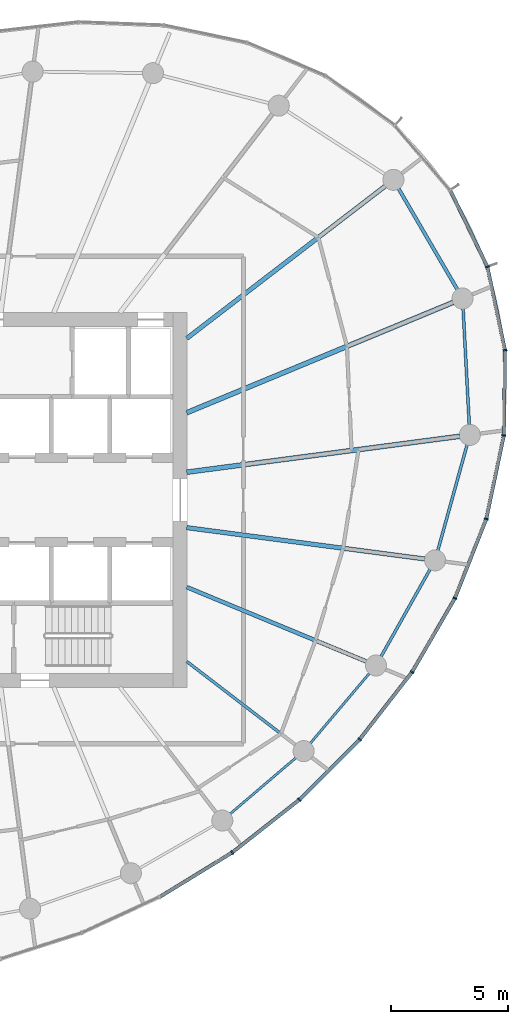
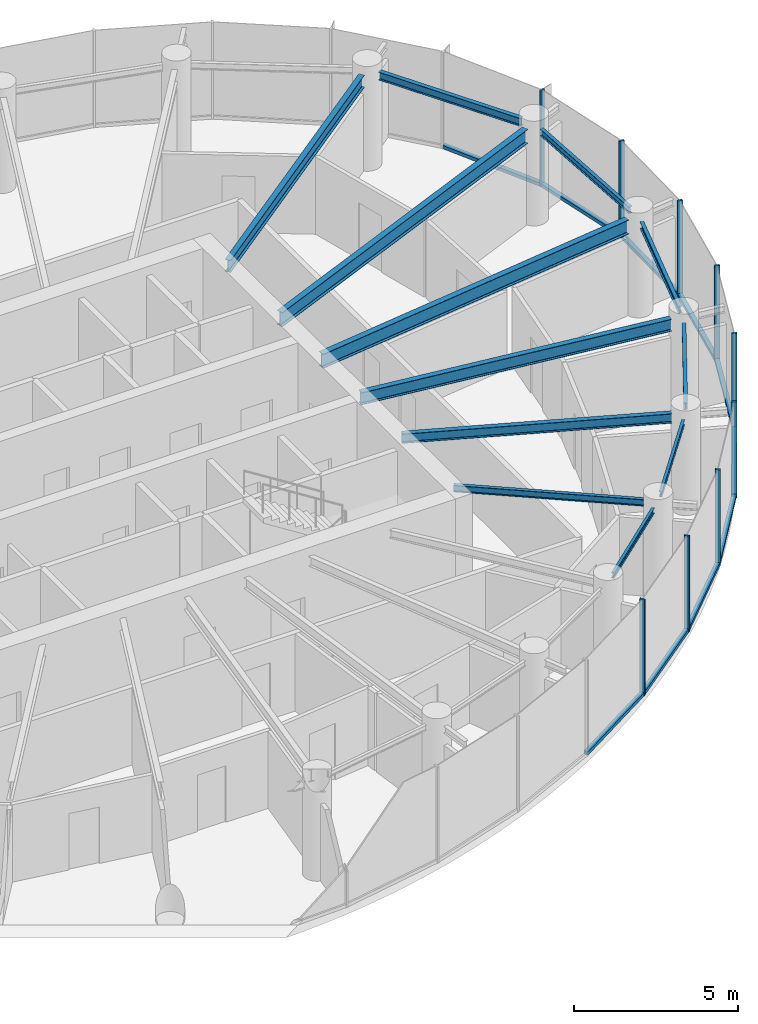
# One storey, part 5 of 15: 19 members, 12 beams, 2 elements without a shape of their own.
"""IFC4 building model written with IfcOpenShell, lengths in metres."""

from ifc_helpers import new_model, si_unit, direction, frame, origin, origin_2d, place, context, subcontext, project, spatial, rectangle, i_section, extrude, source, transform, mapped, material, layer, layer_set, material_profile, profile_set, type_object, element, aggregate, save


model = new_model("IFC4")

# Units and contexts
model_context = context("Model", 3, precision=1e-05, world=origin(), true_north=direction((0.0, 1.0)))
body_context = subcontext(model_context, "Body", "Model", "MODEL_VIEW")
ifc_project = project(units=[si_unit("LENGTHUNIT", "METRE"), si_unit("AREAUNIT", "SQUARE_METRE"), si_unit("VOLUMEUNIT", "CUBIC_METRE"), si_unit("PLANEANGLEUNIT", "RADIAN"), si_unit("MASSUNIT", "GRAM", prefix="KILO")], contexts=[model_context])

# Site, building, storey
site_placement = place(None, origin())
site = spatial("IfcSite", under=ifc_project, at=site_placement, CompositionType="ELEMENT")
building_placement = place(site_placement, origin())
building = spatial("IfcBuilding", under=site, at=building_placement, Name="Spindrift Exchange Tower", CompositionType="ELEMENT")
storey_placement = place(building_placement, frame((0.0, 0.0, 191.60009765625)))
storey = spatial("IfcBuildingStorey", under=building, at=storey_placement, Name="L46", CompositionType="ELEMENT", Elevation=191.60009765625)

# Beams
ifc_material_1 = material(Name="Steel Grade 300", Category="steel")
ifc_material_profile_1 = material_profile(ifc_material_1, i_section(OverallWidth=0.208984375, OverallDepth=0.528076171875, WebThickness=0.009521484375, FlangeThickness=0.01318359375, FilletRadius=0.013916015625, at=origin_2d()), Name="530UB82.0")
ifc_profile_set_1 = profile_set([ifc_material_profile_1], Name="Steel Grade 300")
beam_type_1 = type_object("IfcBeamType", Name="Floor Beam 530UB82.0 Steel Grade 300", PredefinedType="BEAM", material=ifc_profile_set_1)
shared_shape_1 = source(origin(), body_context, "Body", "SweptSolid", [
    extrude(i_section(OverallWidth=0.208984375, OverallDepth=0.528076171875, WebThickness=0.009521484375, FlangeThickness=0.01318359375, FilletRadius=0.013916015625, at=origin_2d()), origin(), (0.0, 0.0, 1.0), 11.75634765625),
])
beam_1_placement = place(storey_placement, frame((60.980224609375, 49.182373046875, 3.31591796875), z_axis=(0.991445811455, 0.13051897543, 0.0), x_axis=(-0.13051897543, 0.991445811455, 0.0)))
element("IfcBeam", 1, at=beam_1_placement, inside=storey, type_object=beam_type_1, Name="L46 radial beam R01A", PredefinedType="BEAM", context=body_context, shape_type="MappedRepresentation", body=[
    mapped(shared_shape_1, transform((0.0, 0.0, 0.0), scale=1.0)),
])
shared_shape_2 = source(origin(), body_context, "Body", "SweptSolid", [
    extrude(i_section(OverallWidth=0.208984375, OverallDepth=0.528076171875, WebThickness=0.009521484375, FlangeThickness=0.01318359375, FilletRadius=0.013916015625, at=origin_2d()), origin(), (0.0, 0.0, 1.0), 12.3115234375),
])
beam_2_placement = place(storey_placement, frame((60.9814453125, 51.72021484375, 3.31591796875), z_axis=(0.923878099838, 0.382686891126, 0.0), x_axis=(-0.382686891126, 0.923878099838, 0.0)))
element("IfcBeam", 2, at=beam_2_placement, inside=storey, type_object=beam_type_1, Name="L46 radial beam R02A", PredefinedType="BEAM", context=body_context, shape_type="MappedRepresentation", body=[
    mapped(shared_shape_2, transform((0.0, 0.0, 0.0), scale=1.0)),
])
ifc_material_profile_2 = material_profile(ifc_material_1, i_section(OverallWidth=0.18994140625, OverallDepth=0.4541015625, WebThickness=0.008544921875, FlangeThickness=0.0126953125, FilletRadius=0.013916015625, at=origin_2d()), Name="460UB67.1")
ifc_profile_set_2 = profile_set([ifc_material_profile_2], Name="Steel Grade 300")
beam_type_2 = type_object("IfcBeamType", Name="Floor Beam 460UB67.1 Steel Grade 300", PredefinedType="BEAM", material=ifc_profile_set_2)
shared_shape_3 = source(origin(), body_context, "Body", "SweptSolid", [
    extrude(i_section(OverallWidth=0.18994140625, OverallDepth=0.4541015625, WebThickness=0.008544921875, FlangeThickness=0.0126953125, FilletRadius=0.013916015625, at=origin_2d()), origin(), (0.0, 0.0, 1.0), 10.684814453125),
])
beam_3_placement = place(storey_placement, frame((60.984130859375, 54.893798828125, 3.352783203125), z_axis=(0.793357316898, 0.608756246559, 0.0), x_axis=(-0.608756246559, 0.793357316898, 0.0)))
element("IfcBeam", 3, at=beam_3_placement, inside=storey, type_object=beam_type_2, Name="L46 radial beam R03A", PredefinedType="BEAM", context=body_context, shape_type="MappedRepresentation", body=[
    mapped(shared_shape_3, transform((0.0, 0.0, 0.0), scale=1.0)),
])
ifc_material_profile_3 = material_profile(ifc_material_1, i_section(OverallWidth=0.1240234375, OverallDepth=0.248046875, WebThickness=0.0048828125, FlangeThickness=0.008056640625, FilletRadius=0.011962890625, at=origin_2d()), Name="250UB25.7")
ifc_profile_set_3 = profile_set([ifc_material_profile_3], Name="Steel Grade 300")
beam_type_3 = type_object("IfcBeamType", Name="Floor Beam 250UB25.7 Steel Grade 300", PredefinedType="BEAM", material=ifc_profile_set_3)
shared_shape_4 = source(origin(), body_context, "Body", "SweptSolid", [
    extrude(i_section(OverallWidth=0.1240234375, OverallDepth=0.248046875, WebThickness=0.0048828125, FlangeThickness=0.008056640625, FilletRadius=0.011962890625, at=origin_2d()), origin(), (0.0, 0.0, 1.0), 5.855712890625),
])
beam_4_placement = place(storey_placement, frame((60.984130859375, 41.106201171875, 3.455810546875), z_axis=(0.793362708479, -0.608749219954, 0.0), x_axis=(0.608749219954, 0.793362708479, 0.0)))
element("IfcBeam", 4, at=beam_4_placement, inside=storey, type_object=beam_type_3, Name="L46 radial beam R22A", PredefinedType="BEAM", context=body_context, shape_type="MappedRepresentation", body=[
    mapped(shared_shape_4, transform((0.0, 0.0, 0.0), scale=1.0)),
])
ifc_material_profile_4 = material_profile(ifc_material_1, i_section(OverallWidth=0.1708984375, OverallDepth=0.35205078125, WebThickness=0.0068359375, FlangeThickness=0.009765625, FilletRadius=0.013916015625, at=origin_2d()), Name="360UB44.7")
ifc_profile_set_4 = profile_set([ifc_material_profile_4], Name="Steel Grade 300")
beam_type_4 = type_object("IfcBeamType", Name="Floor Beam 360UB44.7 Steel Grade 300", PredefinedType="BEAM", material=ifc_profile_set_4)
shared_shape_5 = source(origin(), body_context, "Body", "SweptSolid", [
    extrude(i_section(OverallWidth=0.1708984375, OverallDepth=0.35205078125, WebThickness=0.0068359375, FlangeThickness=0.009765625, FilletRadius=0.013916015625, at=origin_2d()), origin(), (0.0, 0.0, 1.0), 8.3134765625),
])
beam_5_placement = place(storey_placement, frame((60.9814453125, 44.27978515625, 3.40380859375), z_axis=(0.923881179957, -0.382679455055, 0.0), x_axis=(0.382679455055, 0.923881179957, 0.0)))
element("IfcBeam", 5, at=beam_5_placement, inside=storey, type_object=beam_type_4, Name="L46 radial beam R23A", PredefinedType="BEAM", context=body_context, shape_type="MappedRepresentation", body=[
    mapped(shared_shape_5, transform((0.0, 0.0, 0.0), scale=1.0)),
])
shared_shape_6 = source(origin(), body_context, "Body", "SweptSolid", [
    extrude(i_section(OverallWidth=0.18994140625, OverallDepth=0.4541015625, WebThickness=0.008544921875, FlangeThickness=0.0126953125, FilletRadius=0.013916015625, at=origin_2d()), origin(), (0.0, 0.0, 1.0), 10.262451171875),
])
beam_6_placement = place(storey_placement, frame((60.980224609375, 46.817626953125, 3.352783203125), z_axis=(0.991446763371, -0.130511744304, 0.0), x_axis=(0.130511744304, 0.991446763371, 0.0)))
element("IfcBeam", 6, at=beam_6_placement, inside=storey, type_object=beam_type_2, Name="L46 radial beam R24A", PredefinedType="BEAM", context=body_context, shape_type="MappedRepresentation", body=[
    mapped(shared_shape_6, transform((0.0, 0.0, 0.0), scale=1.0)),
])
ifc_material_profile_5 = material_profile(ifc_material_1, i_section(OverallWidth=0.1240234375, OverallDepth=0.248046875, WebThickness=0.0048828125, FlangeThickness=0.008056640625, FilletRadius=0.011962890625, at=origin_2d()), Name="250UB25.7")
ifc_profile_set_5 = profile_set([ifc_material_profile_5], Name="Steel Grade 300")
beam_type_5 = type_object("IfcBeamType", Name="Edge Beam 250UB25.7 Steel Grade 300", PredefinedType="SPANDREL", material=ifc_profile_set_5)
shared_shape_7 = source(origin(), body_context, "Body", "SweptSolid", [
    extrude(i_section(OverallWidth=0.1240234375, OverallDepth=0.248046875, WebThickness=0.0048828125, FlangeThickness=0.008056640625, FilletRadius=0.011962890625, at=origin_2d()), origin(), (0.0, 0.0, 1.0), 4.971435546875),
])
beam_7_placement = place(storey_placement, frame((73.03955078125, 51.202392578125, 3.455810546875), z_axis=(-0.053038255124, 0.998592481192, 0.0), x_axis=(-0.998592481192, -0.053038255124, 0.0)))
element("IfcBeam", 7, at=beam_7_placement, inside=storey, type_object=beam_type_5, Name="L46 edge beam E01", PredefinedType="SPANDREL", context=body_context, shape_type="MappedRepresentation", body=[
    mapped(shared_shape_7, transform((0.0, 0.0, 0.0), scale=1.0)),
])
ifc_material_profile_6 = material_profile(ifc_material_1, i_section(OverallWidth=0.14892578125, OverallDepth=0.298095703125, WebThickness=0.005615234375, FlangeThickness=0.008056640625, FilletRadius=0.012939453125, at=origin_2d()), Name="310UB32.0")
ifc_profile_set_6 = profile_set([ifc_material_profile_6], Name="Steel Grade 300")
beam_type_6 = type_object("IfcBeamType", Name="Edge Beam 310UB32.0 Steel Grade 300", PredefinedType="SPANDREL", material=ifc_profile_set_6)
shared_shape_8 = source(origin(), body_context, "Body", "SweptSolid", [
    extrude(i_section(OverallWidth=0.14892578125, OverallDepth=0.298095703125, WebThickness=0.005615234375, FlangeThickness=0.008056640625, FilletRadius=0.012939453125, at=origin_2d()), origin(), (0.0, 0.0, 1.0), 5.0009765625),
])
beam_8_placement = place(storey_placement, frame((72.53662109375, 56.9677734375, 3.430908203125), z_axis=(-0.503512812094, 0.863987759205, 0.0), x_axis=(-0.863987759205, -0.503512812094, 0.0)))
element("IfcBeam", 8, at=beam_8_placement, inside=storey, type_object=beam_type_6, Name="L46 edge beam E02", PredefinedType="SPANDREL", context=body_context, shape_type="MappedRepresentation", body=[
    mapped(shared_shape_8, transform((0.0, 0.0, 0.0), scale=1.0)),
])
ifc_material_profile_7 = material_profile(ifc_material_1, i_section(OverallWidth=0.09912109375, OverallDepth=0.197998046875, WebThickness=0.00439453125, FlangeThickness=0.007080078125, FilletRadius=0.010986328125, at=origin_2d()), Name="200UB18.2")
ifc_profile_set_7 = profile_set([ifc_material_profile_7], Name="Steel Grade 300")
beam_type_7 = type_object("IfcBeamType", Name="Edge Beam 200UB18.2 Steel Grade 300", PredefinedType="SPANDREL", material=ifc_profile_set_7)
shared_shape_9 = source(origin(), body_context, "Body", "SweptSolid", [
    extrude(i_section(OverallWidth=0.09912109375, OverallDepth=0.197998046875, WebThickness=0.00439453125, FlangeThickness=0.007080078125, FilletRadius=0.010986328125, at=origin_2d()), origin(), (0.0, 0.0, 1.0), 3.703857421875),
])
beam_9_placement = place(storey_placement, frame((62.826416015625, 34.59619140625, 3.48095703125), z_axis=(0.7606692863, 0.64913961278, 0.0), x_axis=(-0.64913961278, 0.7606692863, 0.0)))
element("IfcBeam", 9, at=beam_9_placement, inside=storey, type_object=beam_type_7, Name="L46 edge beam E21", PredefinedType="SPANDREL", context=body_context, shape_type="MappedRepresentation", body=[
    mapped(shared_shape_9, transform((0.0, 0.0, 0.0), scale=1.0)),
])
shared_shape_10 = source(origin(), body_context, "Body", "SweptSolid", [
    extrude(i_section(OverallWidth=0.09912109375, OverallDepth=0.197998046875, WebThickness=0.00439453125, FlangeThickness=0.007080078125, FilletRadius=0.010986328125, at=origin_2d()), origin(), (0.0, 0.0, 1.0), 3.92431640625),
])
beam_10_placement = place(storey_placement, frame((66.24853515625, 37.608154296875, 3.48095703125), z_axis=(0.645498720032, 0.763761351757, 0.0), x_axis=(-0.763761351757, 0.645498720032, 0.0)))
element("IfcBeam", 10, at=beam_10_placement, inside=storey, type_object=beam_type_7, Name="L46 edge beam E22", PredefinedType="SPANDREL", context=body_context, shape_type="MappedRepresentation", body=[
    mapped(shared_shape_10, transform((0.0, 0.0, 0.0), scale=1.0)),
])
shared_shape_11 = source(origin(), body_context, "Body", "SweptSolid", [
    extrude(i_section(OverallWidth=0.1240234375, OverallDepth=0.248046875, WebThickness=0.0048828125, FlangeThickness=0.008056640625, FilletRadius=0.011962890625, at=origin_2d()), origin(), (0.0, 0.0, 1.0), 4.2880859375),
])
beam_11_placement = place(storey_placement, frame((69.27001953125, 41.30859375, 3.455810546875), z_axis=(0.489804347673, 0.871832381253, 0.0), x_axis=(-0.871832381253, 0.489804347673, 0.0)))
element("IfcBeam", 11, at=beam_11_placement, inside=storey, type_object=beam_type_5, Name="L46 edge beam E23", PredefinedType="SPANDREL", context=body_context, shape_type="MappedRepresentation", body=[
    mapped(shared_shape_11, transform((0.0, 0.0, 0.0), scale=1.0)),
])
shared_shape_12 = source(origin(), body_context, "Body", "SweptSolid", [
    extrude(i_section(OverallWidth=0.1240234375, OverallDepth=0.248046875, WebThickness=0.0048828125, FlangeThickness=0.008056640625, FilletRadius=0.011962890625, at=origin_2d()), origin(), (0.0, 0.0, 1.0), 4.69189453125),
])
beam_12_placement = place(storey_placement, frame((71.69580078125, 45.83642578125, 3.455810546875), z_axis=(0.266774248618, 0.963759046792, 0.0), x_axis=(-0.963759046792, 0.266774248618, 0.0)))
element("IfcBeam", 12, at=beam_12_placement, inside=storey, type_object=beam_type_5, Name="L46 edge beam E24", PredefinedType="SPANDREL", context=body_context, shape_type="MappedRepresentation", body=[
    mapped(shared_shape_12, transform((0.0, 0.0, 0.0), scale=1.0)),
])

# Curtain wall, members
ifc_material_2 = material(Name="Fritted laminated glass with bronze frame", Category="glass")
ifc_layer = layer(ifc_material_2, 0.169921875)
ifc_layer_set = layer_set([ifc_layer], Name="ZONE 4 BRONZE FRITTED WALL")
curtain_wall_type = type_object("IfcCurtainWallType", Name="ZONE 4 BRONZE FRITTED WALL", PredefinedType="NOTDEFINED", material=ifc_layer_set)
curtain_wall_1_placement = place(storey_placement, origin())
curtain_wall_1 = element("IfcCurtainWall", 13, at=curtain_wall_1_placement, inside=storey, type_object=curtain_wall_type, Name="L46 Zone 4 Bronze Fritted Wall run 5", PredefinedType="NOTDEFINED")
ifc_material_3 = material(Name="Bronze anodised aluminium", Category="aluminium")
ifc_material_profile_8 = material_profile(ifc_material_3, rectangle(XDim=0.06494140625, YDim=0.169921875, at=origin_2d()), Name="ZONE 4 BRONZE FRITTED WALL MULLION 65X170")
ifc_profile_set_8 = profile_set([ifc_material_profile_8], Name="Bronze anodised aluminium")
member_type_1 = type_object("IfcMemberType", Name="ZONE 4 BRONZE FRITTED WALL MULLION 65X170", PredefinedType="MULLION", material=ifc_profile_set_8)
shared_shape_13 = source(origin(), body_context, "Body", "SweptSolid", [
    extrude(rectangle(XDim=0.06494140625, YDim=0.169921875, at=origin_2d()), origin(), (0.0, 0.0, 1.0), 3.579833984375),
])
member_1_placement = place(storey_placement, frame((62.923095703125, 32.95263671875, 0.0), z_axis=(0.0, 0.0, 1.0), x_axis=(0.820764775682, 0.571266297797, 0.0)))
member_1 = element("IfcMember", 14, at=member_1_placement, type_object=member_type_1, Name="L46 mullion CW-4.29", PredefinedType="MULLION", context=body_context, shape_type="MappedRepresentation", body=[
    mapped(shared_shape_13, transform((0.0, 0.0, 0.0), scale=1.0)),
])
member_2_placement = place(storey_placement, frame((65.786865234375, 35.2041015625, 0.0), z_axis=(0.0, 0.0, 1.0), x_axis=(0.748032901347, 0.663661644592, 0.0)))
member_2 = element("IfcMember", 15, at=member_2_placement, type_object=member_type_1, Name="L46 mullion CW-4.30", PredefinedType="MULLION", context=body_context, shape_type="MappedRepresentation", body=[
    mapped(shared_shape_13, transform((0.0, 0.0, 0.0), scale=1.0)),
])

curtain_wall_2_placement = place(storey_placement, origin())
curtain_wall_2 = element("IfcCurtainWall", 16, at=curtain_wall_2_placement, inside=storey, type_object=curtain_wall_type, Name="L46 Zone 4 Bronze Fritted Wall run 6", PredefinedType="NOTDEFINED")
member_3_placement = place(storey_placement, frame((68.36328125, 37.779052734375, 0.0), z_axis=(0.0, 0.0, 1.0), x_axis=(0.661809603209, 0.749671960994, 0.0)))
member_3 = element("IfcMember", 17, at=member_3_placement, type_object=member_type_1, Name="L46 mullion CW-4.31", PredefinedType="MULLION", context=body_context, shape_type="MappedRepresentation", body=[
    mapped(shared_shape_13, transform((0.0, 0.0, 0.0), scale=1.0)),
])
member_4_placement = place(storey_placement, frame((70.598876953125, 40.65478515625, 0.0), z_axis=(0.0, 0.0, 1.0), x_axis=(0.559184980937, 0.829042916316, 0.0)))
member_4 = element("IfcMember", 18, at=member_4_placement, type_object=member_type_1, Name="L46 mullion CW-4.32", PredefinedType="MULLION", context=body_context, shape_type="MappedRepresentation", body=[
    mapped(shared_shape_13, transform((0.0, 0.0, 0.0), scale=1.0)),
])
member_5_placement = place(storey_placement, frame((72.42724609375, 43.80419921875, 0.0), z_axis=(0.0, 0.0, 1.0), x_axis=(0.436128868243, 0.899884220489, 0.0)))
member_5 = element("IfcMember", 19, at=member_5_placement, type_object=member_type_1, Name="L46 mullion CW-4.33", PredefinedType="MULLION", context=body_context, shape_type="MappedRepresentation", body=[
    mapped(shared_shape_13, transform((0.0, 0.0, 0.0), scale=1.0)),
])
member_6_placement = place(storey_placement, frame((73.766357421875, 47.190185546875, 0.0), z_axis=(0.0, 0.0, 1.0), x_axis=(0.287845516059, 0.957676855147, 0.0)))
member_6 = element("IfcMember", 20, at=member_6_placement, type_object=member_type_1, Name="L46 mullion CW-4.34", PredefinedType="MULLION", context=body_context, shape_type="MappedRepresentation", body=[
    mapped(shared_shape_13, transform((0.0, 0.0, 0.0), scale=1.0)),
])
member_7_placement = place(storey_placement, frame((74.515625, 50.752197265625, 0.0), z_axis=(0.0, 0.0, 1.0), x_axis=(0.110082191394, 0.99392248749, 0.0)))
member_7 = element("IfcMember", 21, at=member_7_placement, type_object=member_type_1, Name="L46 mullion CW-4.35", PredefinedType="MULLION", context=body_context, shape_type="MappedRepresentation", body=[
    mapped(shared_shape_13, transform((0.0, 0.0, 0.0), scale=1.0)),
])
member_8_placement = place(storey_placement, frame((74.56396484375, 54.39013671875, 0.0), z_axis=(0.0, 0.0, 1.0), x_axis=(-0.09726947805, 0.995258081424, 0.0)))
member_8 = element("IfcMember", 22, at=member_8_placement, type_object=member_type_1, Name="L46 mullion CW-4.36", PredefinedType="MULLION", context=body_context, shape_type="MappedRepresentation", body=[
    mapped(shared_shape_13, transform((0.0, 0.0, 0.0), scale=1.0)),
])
member_9_placement = place(storey_placement, frame((73.8125, 57.9482421875, 0.0), z_axis=(0.0, 0.0, 1.0), x_axis=(-0.324197333976, 0.945989475968, 0.0)))
member_9 = element("IfcMember", 23, at=member_9_placement, type_object=member_type_1, Name="L46 mullion CW-4.37", PredefinedType="MULLION", context=body_context, shape_type="MappedRepresentation", body=[
    mapped(shared_shape_13, transform((0.0, 0.0, 0.0), scale=1.0)),
])

# Member
ifc_material_profile_9 = material_profile(ifc_material_3, rectangle(XDim=0.14990234375, YDim=0.125, at=origin_2d()), Name="ZONE 4 BRONZE FRITTED WALL TRANSOM 150X125")
ifc_profile_set_9 = profile_set([ifc_material_profile_9], Name="Bronze anodised aluminium")
member_type_2 = type_object("IfcMemberType", Name="ZONE 4 BRONZE FRITTED WALL TRANSOM 150X125", PredefinedType="USERDEFINED", material=ifc_profile_set_9)
shared_shape_14 = source(origin(), body_context, "Body", "SweptSolid", [
    extrude(rectangle(XDim=0.14990234375, YDim=0.125, at=origin_2d()), origin(), (0.0, 0.0, 1.0), 3.57763671875),
])
member_10_placement = place(storey_placement, frame((62.94873046875, 32.97265625, 0.0625), z_axis=(0.786133601553, 0.618056599762, 0.0), x_axis=(-0.618056599762, 0.786133601553, 0.0)))
member_10 = element("IfcMember", 24, at=member_10_placement, type_object=member_type_2, Name="L46 transom CW-4.29", ObjectType="TRANSOM", PredefinedType="USERDEFINED", context=body_context, shape_type="MappedRepresentation", body=[
    mapped(shared_shape_14, transform((0.0, 0.0, 0.0), scale=1.0)),
])

member_11_placement = place(storey_placement, frame((65.809814453125, 35.22705078125, 0.0625), z_axis=(0.707311472672, 0.70690203043, 0.0), x_axis=(-0.70690203043, 0.707311472672, 0.0)))
member_11 = element("IfcMember", 25, at=member_11_placement, type_object=member_type_2, Name="L46 transom CW-4.30", ObjectType="TRANSOM", PredefinedType="USERDEFINED", context=body_context, shape_type="MappedRepresentation", body=[
    mapped(shared_shape_14, transform((0.0, 0.0, 0.0), scale=1.0)),
])

shared_shape_15 = source(origin(), body_context, "Body", "SweptSolid", [
    extrude(rectangle(XDim=0.14990234375, YDim=0.125, at=origin_2d()), origin(), (0.0, 0.0, 1.0), 3.577880859375),
])
member_12_placement = place(storey_placement, frame((59.844970703125, 31.06591796875, 0.0625), z_axis=(0.852608117224, 0.522550857279, 0.0), x_axis=(-0.522550857279, 0.852608117224, 0.0)))
member_12 = element("IfcMember", 26, at=member_12_placement, type_object=member_type_2, Name="L46 transom CW-4.28", ObjectType="TRANSOM", PredefinedType="USERDEFINED", context=body_context, shape_type="MappedRepresentation", body=[
    mapped(shared_shape_15, transform((0.0, 0.0, 0.0), scale=1.0)),
])

aggregate(curtain_wall_1, [member_12, member_1, member_10, member_2, member_11])

shared_shape_16 = source(origin(), body_context, "Body", "SweptSolid", [
    extrude(rectangle(XDim=0.14990234375, YDim=0.125, at=origin_2d()), origin(), (0.0, 0.0, 1.0), 3.57666015625),
])
member_13_placement = place(storey_placement, frame((70.615234375, 40.682861328125, 0.0625), z_axis=(0.502044945298, 0.864841530513, 0.0), x_axis=(-0.864841530513, 0.502044945298, 0.0)))
member_13 = element("IfcMember", 27, at=member_13_placement, type_object=member_type_2, Name="L46 transom CW-4.32", ObjectType="TRANSOM", PredefinedType="USERDEFINED", context=body_context, shape_type="MappedRepresentation", body=[
    mapped(shared_shape_16, transform((0.0, 0.0, 0.0), scale=1.0)),
])

shared_shape_17 = source(origin(), body_context, "Body", "SweptSolid", [
    extrude(rectangle(XDim=0.14990234375, YDim=0.125, at=origin_2d()), origin(), (0.0, 0.0, 1.0), 3.577392578125),
])
member_14_placement = place(storey_placement, frame((68.38330078125, 37.8046875, 0.0625), z_axis=(0.613723257594, 0.789521223963, 0.0), x_axis=(-0.789521223963, 0.613723257594, 0.0)))
member_14 = element("IfcMember", 28, at=member_14_placement, type_object=member_type_2, Name="L46 transom CW-4.31", ObjectType="TRANSOM", PredefinedType="USERDEFINED", context=body_context, shape_type="MappedRepresentation", body=[
    mapped(shared_shape_17, transform((0.0, 0.0, 0.0), scale=1.0)),
])

shared_shape_18 = source(origin(), body_context, "Body", "SweptSolid", [
    extrude(rectangle(XDim=0.14990234375, YDim=0.125, at=origin_2d()), origin(), (0.0, 0.0, 1.0), 3.5703125),
])
member_15_placement = place(storey_placement, frame((73.79833984375, 57.9775390625, 0.0625), z_axis=(-0.436954547721, 0.899483586968, 0.0), x_axis=(-0.899483586968, -0.436954547721, 0.0)))
member_15 = element("IfcMember", 29, at=member_15_placement, type_object=member_type_2, Name="L46 transom CW-4.37", ObjectType="TRANSOM", PredefinedType="USERDEFINED", context=body_context, shape_type="MappedRepresentation", body=[
    mapped(shared_shape_18, transform((0.0, 0.0, 0.0), scale=1.0)),
])

shared_shape_19 = source(origin(), body_context, "Body", "SweptSolid", [
    extrude(rectangle(XDim=0.14990234375, YDim=0.125, at=origin_2d()), origin(), (0.0, 0.0, 1.0), 3.571533203125),
])
member_16_placement = place(storey_placement, frame((74.55712890625, 54.422119140625, 0.0625), z_axis=(-0.206582344529, 0.97842921815, 0.0), x_axis=(-0.97842921815, -0.206582344529, 0.0)))
member_16 = element("IfcMember", 30, at=member_16_placement, type_object=member_type_2, Name="L46 transom CW-4.36", ObjectType="TRANSOM", PredefinedType="USERDEFINED", context=body_context, shape_type="MappedRepresentation", body=[
    mapped(shared_shape_19, transform((0.0, 0.0, 0.0), scale=1.0)),
])

shared_shape_20 = source(origin(), body_context, "Body", "SweptSolid", [
    extrude(rectangle(XDim=0.14990234375, YDim=0.125, at=origin_2d()), origin(), (0.0, 0.0, 1.0), 3.5732421875),
])
member_17_placement = place(storey_placement, frame((74.51611328125, 50.78466796875, 0.0625), z_axis=(0.013254728905, 0.999912152222, 0.0), x_axis=(-0.999912152222, 0.013254728905, 0.0)))
member_17 = element("IfcMember", 31, at=member_17_placement, type_object=member_type_2, Name="L46 transom CW-4.35", ObjectType="TRANSOM", PredefinedType="USERDEFINED", context=body_context, shape_type="MappedRepresentation", body=[
    mapped(shared_shape_20, transform((0.0, 0.0, 0.0), scale=1.0)),
])

shared_shape_21 = source(origin(), body_context, "Body", "SweptSolid", [
    extrude(rectangle(XDim=0.14990234375, YDim=0.125, at=origin_2d()), origin(), (0.0, 0.0, 1.0), 3.576171875),
])
member_18_placement = place(storey_placement, frame((72.439208984375, 43.83447265625, 0.0625), z_axis=(0.367774225058, 0.929915114074, 0.0), x_axis=(-0.929915114074, 0.367774225058, 0.0)))
member_18 = element("IfcMember", 32, at=member_18_placement, type_object=member_type_2, Name="L46 transom CW-4.33", ObjectType="TRANSOM", PredefinedType="USERDEFINED", context=body_context, shape_type="MappedRepresentation", body=[
    mapped(shared_shape_21, transform((0.0, 0.0, 0.0), scale=1.0)),
])

shared_shape_22 = source(origin(), body_context, "Body", "SweptSolid", [
    extrude(rectangle(XDim=0.14990234375, YDim=0.125, at=origin_2d()), origin(), (0.0, 0.0, 1.0), 3.5751953125),
])
member_19_placement = place(storey_placement, frame((73.77294921875, 47.221923828125, 0.0625), z_axis=(0.205890023532, 0.978575136722, 0.0), x_axis=(-0.978575136722, 0.205890023532, 0.0)))
member_19 = element("IfcMember", 33, at=member_19_placement, type_object=member_type_2, Name="L46 transom CW-4.34", ObjectType="TRANSOM", PredefinedType="USERDEFINED", context=body_context, shape_type="MappedRepresentation", body=[
    mapped(shared_shape_22, transform((0.0, 0.0, 0.0), scale=1.0)),
])

aggregate(curtain_wall_2, [member_3, member_14, member_4, member_13, member_5, member_18, member_6, member_19, member_7, member_17, member_8, member_16, member_9, member_15])

save(model, "model.ifc")
